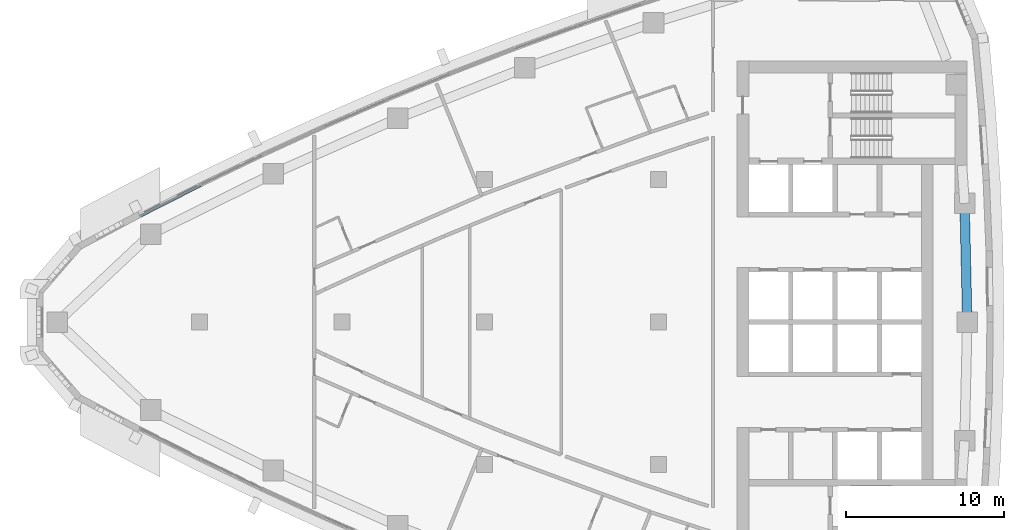
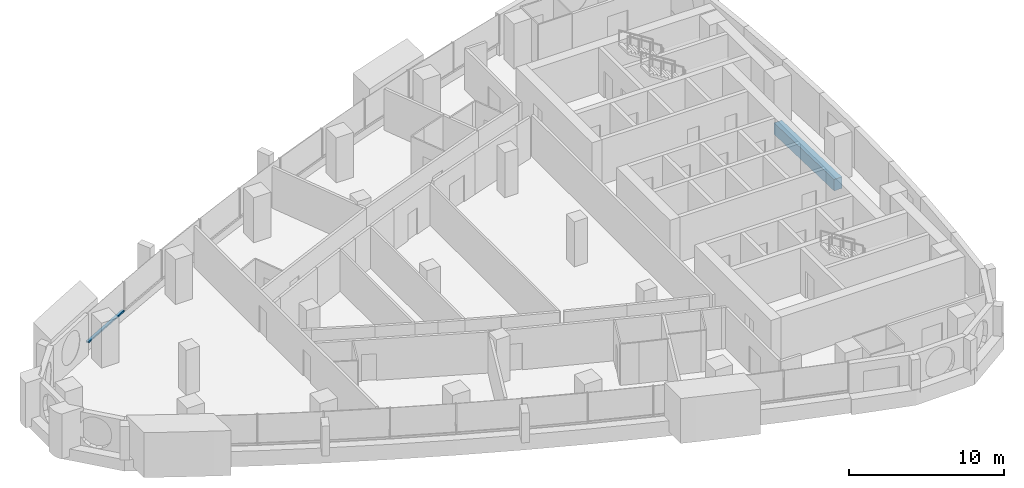
# One storey, part 5 of 17: 1 beam, 1 member, 1 element without a shape of its own.
"""IFC4 building model written with IfcOpenShell, lengths in metres."""

from ifc_helpers import new_model, si_unit, direction, frame, origin, origin_2d, place, context, subcontext, project, spatial, rectangle, extrude, material, layer, layer_set, material_profile, profile_set, type_object, element, aggregate, save


model = new_model("IFC4")

# Units and contexts
model_context = context("Model", 3, precision=1e-05, world=origin(), true_north=direction((0.0, 1.0)))
body_context = subcontext(model_context, "Body", "Model", "MODEL_VIEW")
ifc_project = project(units=[si_unit("LENGTHUNIT", "METRE"), si_unit("AREAUNIT", "SQUARE_METRE"), si_unit("VOLUMEUNIT", "CUBIC_METRE"), si_unit("PLANEANGLEUNIT", "RADIAN"), si_unit("MASSUNIT", "GRAM", prefix="KILO")], contexts=[model_context])

# Site, building, storey
site_placement = place(None, origin())
site = spatial("IfcSite", under=ifc_project, at=site_placement, CompositionType="ELEMENT")
building_placement = place(site_placement, origin())
building = spatial("IfcBuilding", under=site, at=building_placement, Name="Ostrand Prow Hotel Tower", CompositionType="ELEMENT")
storey_placement = place(building_placement, frame((0.0, 0.0, 182.60009765625)))
storey = spatial("IfcBuildingStorey", under=building, at=storey_placement, Name="L45", CompositionType="ELEMENT", Elevation=182.60009765625)

# Beam
ifc_material_1 = material(Name="Concrete C60/75", Category="concrete")
ifc_material_profile_1 = material_profile(ifc_material_1, rectangle(XDim=0.60009765625, YDim=0.89990234375, at=origin_2d()), Name="RC 600x900")
ifc_profile_set_1 = profile_set([ifc_material_profile_1], Name="Concrete C60/75")
beam_type = type_object("IfcBeamType", Name="Edge beam 600x900 C60/75", PredefinedType="SPANDREL", material=ifc_profile_set_1)
beam_placement = place(storey_placement, frame((64.5, 0.0, -0.75), z_axis=(-0.022620118241, 0.999744132391, 0.0), x_axis=(-0.999744132391, -0.022620118241, 0.0)))
element("IfcBeam", 1, at=beam_placement, inside=storey, type_object=beam_type, Name="Edge beam B3-B4", PredefinedType="SPANDREL", context=body_context, shape_type="SweptSolid", body=[
    extrude(rectangle(XDim=0.60009765625, YDim=0.89990234375, at=origin_2d()), origin(), (0.0, 0.0, 1.0), 7.501220703125),
])

# Curtain wall, member
ifc_material_2 = material(Name="Insulated glass in bronze anodised frame", Category="glass")
ifc_layer = layer(ifc_material_2, 0.199951171875)
ifc_layer_set = layer_set([ifc_layer], Name="Insulated glass in bronze anodised frame")
curtain_wall_type = type_object("IfcCurtainWallType", Name="Strip curtain wall, fritted glass over bronze spandrel", PredefinedType="NOTDEFINED", material=ifc_layer_set)
curtain_wall_placement = place(storey_placement, origin())
curtain_wall = element("IfcCurtainWall", 2, at=curtain_wall_placement, inside=storey, type_object=curtain_wall_type, Name="CW1 run CWN5", PredefinedType="NOTDEFINED")
ifc_material_3 = material(Name="Bronze anodised aluminium", Category="aluminium")
ifc_material_profile_2 = material_profile(ifc_material_3, rectangle(XDim=0.199951171875, YDim=0.1201171875, at=origin_2d()), Name="Transom 120x200 bronze anodised aluminium")
ifc_profile_set_2 = profile_set([ifc_material_profile_2], Name="Bronze anodised aluminium")
member_type = type_object("IfcMemberType", Name="Transom 120x200 bronze anodised aluminium", PredefinedType="USERDEFINED", material=ifc_profile_set_2)
member_placement = place(storey_placement, frame((16.06787109375, 8.6474609375, 0.9599609375), z_axis=(-0.891672840777, -0.452680400526, 0.0), x_axis=(0.452680400526, -0.891672840777, 0.0)))
member = element("IfcMember", 3, at=member_placement, type_object=member_type, Name="CW1 transom 2.1", ObjectType="TRANSOM", PredefinedType="USERDEFINED", context=body_context, shape_type="SweptSolid", body=[
    extrude(rectangle(XDim=0.199951171875, YDim=0.1201171875, at=origin_2d()), origin(), (0.0, 0.0, 1.0), 4.2451171875),
])
aggregate(curtain_wall, [member])

save(model, "model.ifc")
